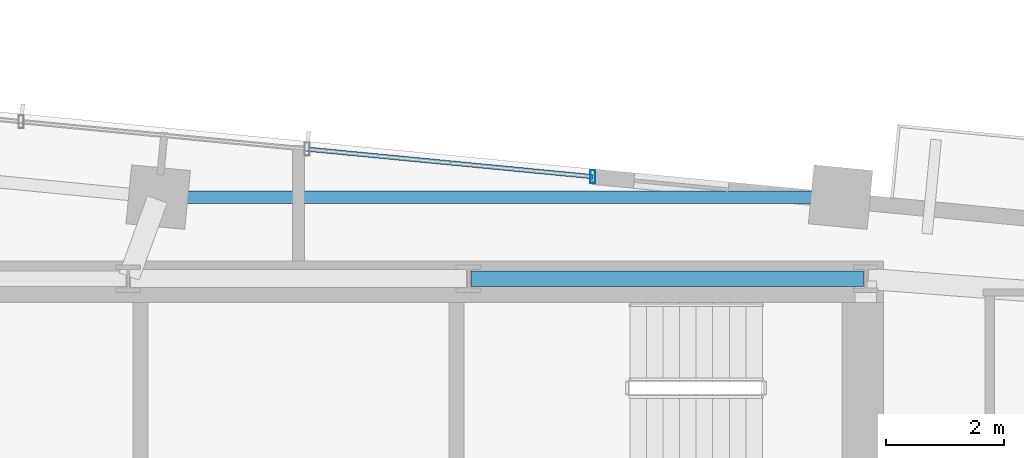
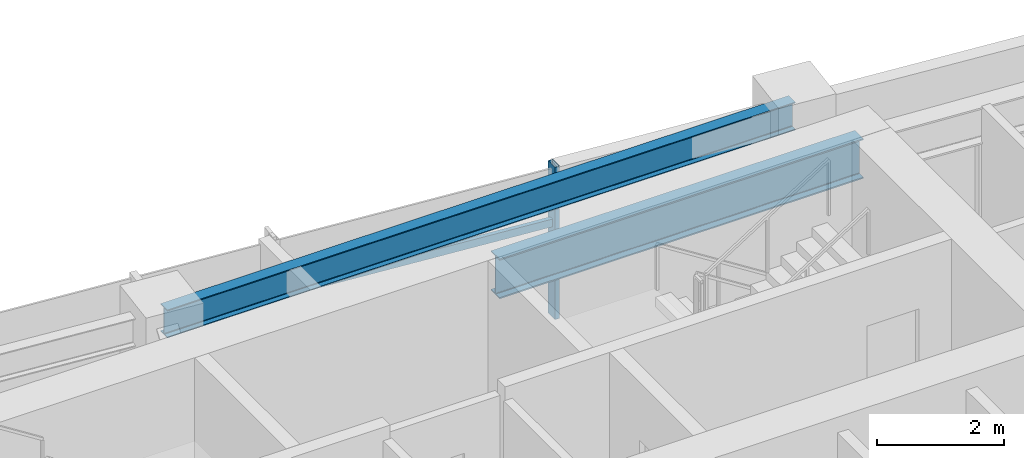
# One storey, part 11 of 19: 2 beams, 2 members, 1 element without a shape of its own.
"""IFC4 building model written with IfcOpenShell, lengths in metres."""

from ifc_helpers import new_model, si_unit, direction, frame, origin, origin_2d, place, context, subcontext, project, spatial, hollow_rectangle, i_section, extrude, source, transform, mapped, material, material_profile, profile_set, type_object, type_shapes, element, aggregate, save


model = new_model("IFC4")

# Units and contexts
model_context = context("Model", 3, precision=1e-05, world=origin(), true_north=direction((0.0, 1.0)))
body_context = subcontext(model_context, "Body", "Model", "MODEL_VIEW")
ifc_project = project(units=[si_unit("LENGTHUNIT", "METRE"), si_unit("AREAUNIT", "SQUARE_METRE"), si_unit("VOLUMEUNIT", "CUBIC_METRE"), si_unit("PLANEANGLEUNIT", "RADIAN"), si_unit("MASSUNIT", "GRAM", prefix="KILO")], contexts=[model_context])

# Site, building, storey
site_placement = place(None, origin())
site = spatial("IfcSite", under=ifc_project, at=site_placement, CompositionType="ELEMENT")
building_placement = place(site_placement, origin())
building = spatial("IfcBuilding", under=site, at=building_placement, Name="Astriad Promenade Condominiums", CompositionType="ELEMENT")
storey_placement = place(building_placement, frame((0.0, 0.0, 147.0)))
storey = spatial("IfcBuildingStorey", under=building, at=storey_placement, Name="L42", CompositionType="ELEMENT", Elevation=147.0)

# Beams
ifc_material_1 = material(Name="Steel ASTM A992 Grade 50", Category="steel")
ifc_material_profile_1 = material_profile(ifc_material_1, i_section(OverallWidth=0.267822265625, OverallDepth=0.76953125, WebThickness=0.015625, FlangeThickness=0.025390625, FilletRadius=0.021484375, at=origin_2d()), Name="W30X132")
ifc_profile_set_1 = profile_set([ifc_material_profile_1], Name="Steel ASTM A992 Grade 50")
beam_type_1 = type_object("IfcBeamType", Name="STEEL FLOOR GIRDER W30X132", PredefinedType="BEAM", material=ifc_profile_set_1)
shared_shape_1 = source(origin(), body_context, "Body", "SweptSolid", [
    extrude(i_section(OverallWidth=0.267822265625, OverallDepth=0.76953125, WebThickness=0.015625, FlangeThickness=0.025390625, FilletRadius=0.021484375, at=origin_2d()), origin(), (0.0, 0.0, 1.0), 6.64013671875),
])
type_shapes(beam_type_1, [shared_shape_1])
beam_1_placement = place(storey_placement, frame((38.919921875, 24.0, 2.55517578125), z_axis=(1.0, 0.0, 0.0), x_axis=(0.0, 1.0, 0.0)))
element("IfcBeam", 1, at=beam_1_placement, inside=storey, type_object=beam_type_1, Name="Core Ring Beam CG-N3-L42", PredefinedType="BEAM", context=body_context, shape_type="MappedRepresentation", body=[
    mapped(shared_shape_1, transform((0.0, 0.0, 0.0), scale=1.0)),
])
ifc_material_profile_2 = material_profile(ifc_material_1, i_section(OverallWidth=0.210693359375, OverallDepth=0.53955078125, WebThickness=0.01171875, FlangeThickness=0.018798828125, FilletRadius=0.0166015625, at=origin_2d()), Name="W21X73")
ifc_profile_set_2 = profile_set([ifc_material_profile_2], Name="Steel ASTM A992 Grade 50")
beam_type_2 = type_object("IfcBeamType", Name="STEEL SPANDREL BEAM W21X73", PredefinedType="SPANDREL", material=ifc_profile_set_2)
shared_shape_2 = source(origin(), body_context, "Body", "SweptSolid", [
    extrude(i_section(OverallWidth=0.210693359375, OverallDepth=0.53955078125, WebThickness=0.01171875, FlangeThickness=0.018798828125, FilletRadius=0.0166015625, at=origin_2d()), origin(), (0.0, 0.0, 1.0), 11.466552734375),
])
type_shapes(beam_type_2, [shared_shape_2])
beam_2_placement = place(storey_placement, frame((45.1328125, 25.3798828125, 2.67041015625), z_axis=(-0.999999999093, 4.258309e-05, 0.0), x_axis=(-4.258309e-05, -0.999999999093, 0.0)))
element("IfcBeam", 2, at=beam_2_placement, inside=storey, type_object=beam_type_2, Name="Perimeter Spandrel Beam SP-N3-L42", PredefinedType="SPANDREL", context=body_context, shape_type="MappedRepresentation", body=[
    mapped(shared_shape_2, transform((0.0, 0.0, 0.0), scale=1.0)),
])

# Curtain wall, members
ifc_material_2 = material(Name="Anodised aluminium Black Dark Glass Unitised", Category="aluminium")
curtain_wall_type = type_object("IfcCurtainWallType", Name="CW-B34-DARK", PredefinedType="USERDEFINED", material=ifc_material_2)
curtain_wall_placement = place(storey_placement, origin())
curtain_wall = element("IfcCurtainWall", 3, at=curtain_wall_placement, inside=storey, type_object=curtain_wall_type, Name="CW-L42-N", ObjectType="UNITISED_CURTAIN_WALL", PredefinedType="USERDEFINED")
ifc_material_3 = material(Name="Anodised aluminium 6063-T6 Black", Category="aluminium")
ifc_material_profile_3 = material_profile(ifc_material_3, hollow_rectangle(XDim=0.0849609375, YDim=0.219970703125, WallThickness=0.0048828125, at=origin_2d()), Name="ALU-MUL-85X220")
ifc_profile_set_3 = profile_set([ifc_material_profile_3], Name="Anodised aluminium 6063-T6 Black")
member_type_1 = type_object("IfcMemberType", Name="MUL-ALU-MUL-85X220", PredefinedType="MULLION", material=ifc_profile_set_3)
shared_shape_3 = source(origin(), body_context, "Body", "SweptSolid", [
    extrude(hollow_rectangle(XDim=0.0849609375, YDim=0.219970703125, WallThickness=0.0048828125, at=origin_2d()), origin(), (0.0, 0.0, 1.0), 2.93994140625),
])
type_shapes(member_type_1, [shared_shape_3])
member_1_placement = place(storey_placement, frame((40.9833984375, 25.726806640625, 0.0), z_axis=(0.0, 0.0, 1.0), x_axis=(1.0, 0.0, 0.0)))
member_1 = element("IfcMember", 4, at=member_1_placement, type_object=member_type_1, Name="CW-L42-N-MUL-03", PredefinedType="MULLION", context=body_context, shape_type="MappedRepresentation", body=[
    mapped(shared_shape_3, transform((0.0, 0.0, 0.0), scale=1.0)),
])
ifc_material_profile_4 = material_profile(ifc_material_3, hollow_rectangle(XDim=0.074951171875, YDim=0.14990234375, WallThickness=0.004150390625, at=origin_2d()), Name="ALU-TRN-75X150")
ifc_profile_set_4 = profile_set([ifc_material_profile_4], Name="Anodised aluminium 6063-T6 Black")
member_type_2 = type_object("IfcMemberType", Name="TRN-ALU-TRN-75X150", PredefinedType="USERDEFINED", material=ifc_profile_set_4)
shared_shape_4 = source(origin(), body_context, "Body", "SweptSolid", [
    extrude(hollow_rectangle(XDim=0.074951171875, YDim=0.14990234375, WallThickness=0.004150390625, at=origin_2d()), origin(), (0.0, 0.0, 1.0), 4.860107421875),
])
type_shapes(member_type_2, [shared_shape_4])
member_2_placement = place(storey_placement, frame((36.145751953125, 26.1923828125, 1.82275390625), z_axis=(0.995400834012, -0.095797597298, 0.0), x_axis=(0.095797597298, 0.995400834012, 0.0)))
member_2 = element("IfcMember", 5, at=member_2_placement, type_object=member_type_2, Name="CW-L42-N-TRN-02-0", ObjectType="TRANSOM", PredefinedType="USERDEFINED", context=body_context, shape_type="MappedRepresentation", body=[
    mapped(shared_shape_4, transform((0.0, 0.0, 0.0), scale=1.0)),
])
aggregate(curtain_wall, [member_1, member_2])

save(model, "model.ifc")
